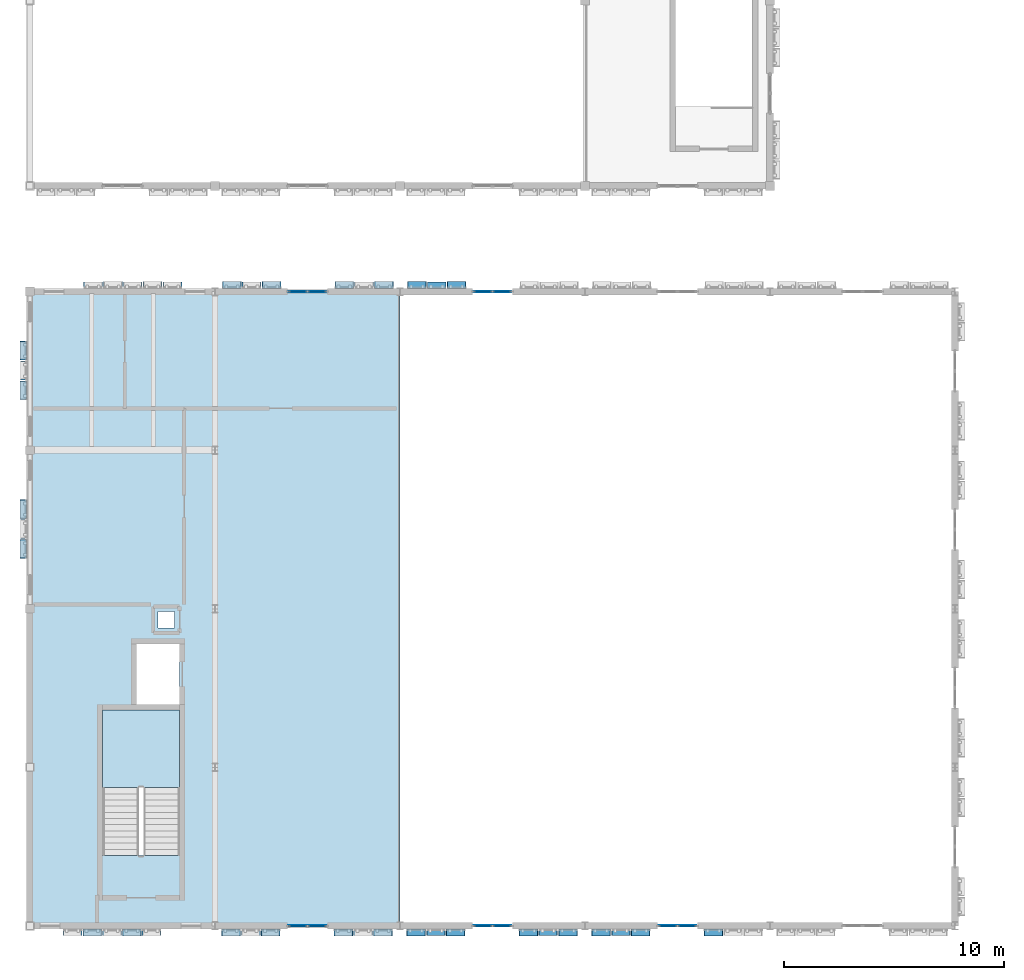
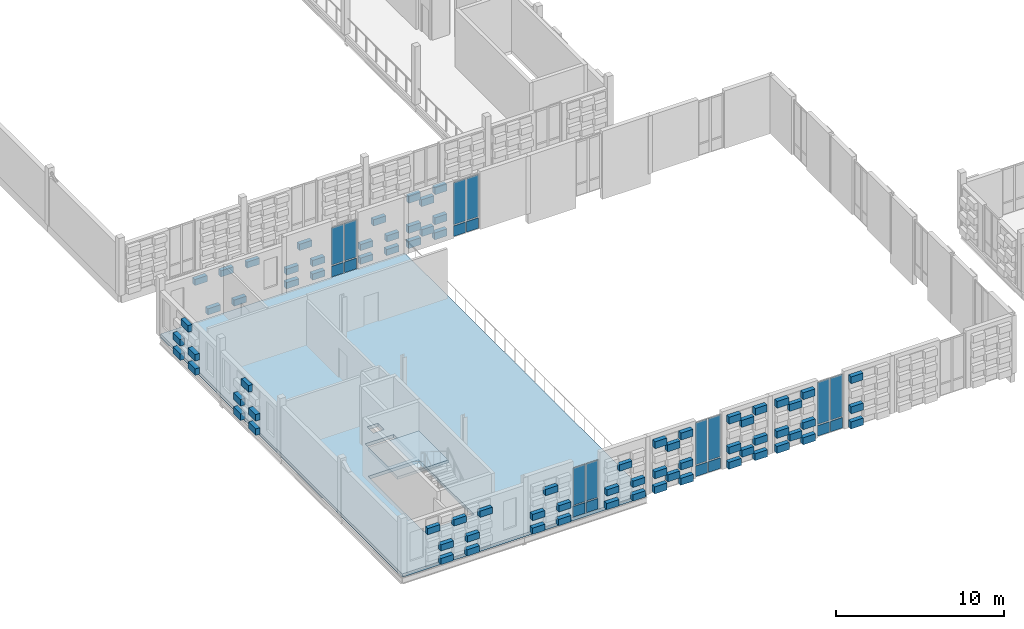
# One storey, part 31 of 81: 97 plates, 2 slabs, 6 elements without a shape of their own.
"""IFC4 building model written with IfcOpenShell, lengths in metres."""

from ifc_helpers import new_model, si_unit, direction, frame, origin, origin_2d, place, context, subcontext, project, spatial, polyline, rectangle, outline, extrude, material, layer, layer_set, type_object, element, aggregate, save


model = new_model("IFC4")

# Units and contexts
model_context = context("Model", 3, precision=1e-05, world=origin(), true_north=direction((0.0, 1.0)))
body_context = subcontext(model_context, "Body", "Model", "MODEL_VIEW")
ifc_project = project(units=[si_unit("LENGTHUNIT", "METRE"), si_unit("AREAUNIT", "SQUARE_METRE"), si_unit("VOLUMEUNIT", "CUBIC_METRE"), si_unit("PLANEANGLEUNIT", "RADIAN"), si_unit("MASSUNIT", "GRAM", prefix="KILO")], contexts=[model_context])

# Site, building, storey
site_placement = place(None, origin())
site = spatial("IfcSite", under=ifc_project, at=site_placement, CompositionType="ELEMENT")
building_placement = place(site_placement, origin())
building = spatial("IfcBuilding", under=site, at=building_placement, Name="Kahlenmark Community Centre", CompositionType="ELEMENT")
storey_placement = place(building_placement, frame((0.0, 0.0, 9.60009765625)))
storey = spatial("IfcBuildingStorey", under=building, at=storey_placement, Name="L02", CompositionType="ELEMENT", Elevation=9.60009765625)

# Curtain wall, plates
ifc_material_1 = material(Name="Anodised aluminium unitised curtain wall", Category="aluminium")
curtain_wall_type_1 = type_object("IfcCurtainWallType", Name="CWT-UNIT-180X363", PredefinedType="USERDEFINED", material=ifc_material_1)
curtain_wall_1_placement = place(storey_placement, origin())
curtain_wall_1 = element("IfcCurtainWall", 1, at=curtain_wall_1_placement, inside=storey, type_object=curtain_wall_type_1, Name="Unitised curtain wall CW-058", ObjectType="UNITISED CURTAIN WALL", PredefinedType="USERDEFINED")
ifc_material_2 = material(Name="Triple low-e solar-control glass unit", Category="glass")
ifc_layer_1 = layer(ifc_material_2, 0.0439453125)
ifc_layer_set_1 = layer_set([ifc_layer_1], Name="Triple low-e solar-control glass unit")
plate_type_1 = type_object("IfcPlateType", Name="PLT-CW-GLZ-820X2700", PredefinedType="CURTAIN_PANEL", material=ifc_layer_set_1)
plate_1_placement = place(storey_placement, frame((16.14990234375, 8.800048828125, 0.89013671875), z_axis=(0.0, 0.0, 1.0), x_axis=(1.0, 0.0, 0.0)))
plate_1 = element("IfcPlate", 2, at=plate_1_placement, type_object=plate_type_1, Name="CW-058 glazed panel 1", PredefinedType="CURTAIN_PANEL", context=body_context, shape_type="SweptSolid", body=[
    extrude(rectangle(XDim=0.820068359375, YDim=0.0439453125, at=origin_2d()), origin(), (0.0, 0.0, 1.0), 2.699951171875),
])
plate_2_placement = place(storey_placement, frame((17.050048828125, 8.800048828125, 0.89013671875), z_axis=(0.0, 0.0, 1.0), x_axis=(1.0, 0.0, 0.0)))
plate_2 = element("IfcPlate", 3, at=plate_2_placement, type_object=plate_type_1, Name="CW-058 glazed panel 2", PredefinedType="CURTAIN_PANEL", context=body_context, shape_type="SweptSolid", body=[
    extrude(rectangle(XDim=0.820068359375, YDim=0.0439453125, at=origin_2d()), origin(), (0.0, 0.0, 1.0), 2.699951171875),
])

curtain_wall_2_placement = place(storey_placement, origin())
curtain_wall_2 = element("IfcCurtainWall", 4, at=curtain_wall_2_placement, inside=storey, type_object=curtain_wall_type_1, Name="Unitised curtain wall CW-062", ObjectType="UNITISED CURTAIN WALL", PredefinedType="USERDEFINED")
plate_3_placement = place(storey_placement, frame((17.050048828125, 37.60009765625, 0.89013671875), z_axis=(0.0, 0.0, 1.0), x_axis=(-1.0, 0.0, 0.0)))
plate_3 = element("IfcPlate", 5, at=plate_3_placement, type_object=plate_type_1, Name="CW-062 glazed panel 1", PredefinedType="CURTAIN_PANEL", context=body_context, shape_type="SweptSolid", body=[
    extrude(rectangle(XDim=0.820068359375, YDim=0.0439453125, at=origin_2d()), origin(), (0.0, 0.0, 1.0), 2.699951171875),
])
plate_4_placement = place(storey_placement, frame((16.14990234375, 37.60009765625, 0.89013671875), z_axis=(0.0, 0.0, 1.0), x_axis=(-1.0, 0.0, 0.0)))
plate_4 = element("IfcPlate", 6, at=plate_4_placement, type_object=plate_type_1, Name="CW-062 glazed panel 2", PredefinedType="CURTAIN_PANEL", context=body_context, shape_type="SweptSolid", body=[
    extrude(rectangle(XDim=0.820068359375, YDim=0.0439453125, at=origin_2d()), origin(), (0.0, 0.0, 1.0), 2.699951171875),
])

curtain_wall_type_2 = type_object("IfcCurtainWallType", Name="CWT-UNIT-180X398", PredefinedType="USERDEFINED", material=ifc_material_1)
curtain_wall_3_placement = place(storey_placement, origin())
curtain_wall_3 = element("IfcCurtainWall", 7, at=curtain_wall_3_placement, inside=storey, type_object=curtain_wall_type_2, Name="Unitised curtain wall CW-059", ObjectType="UNITISED CURTAIN WALL", PredefinedType="USERDEFINED")
ifc_layer_2 = layer(ifc_material_2, 0.0439453125)
ifc_layer_set_2 = layer_set([ifc_layer_2], Name="Triple low-e solar-control glass unit")
plate_type_2 = type_object("IfcPlateType", Name="PLT-CW-GLZ-820X3050", PredefinedType="CURTAIN_PANEL", material=ifc_layer_set_2)
plate_5_placement = place(storey_placement, frame((24.550048828125, 8.800048828125, 0.8896484375), z_axis=(0.0, 0.0, 1.0), x_axis=(1.0, 0.0, 0.0)))
plate_5 = element("IfcPlate", 8, at=plate_5_placement, type_object=plate_type_2, Name="CW-059 glazed panel 1", PredefinedType="CURTAIN_PANEL", context=body_context, shape_type="SweptSolid", body=[
    extrude(rectangle(XDim=0.820068359375, YDim=0.0439453125, at=origin_2d()), origin(), (0.0, 0.0, 1.0), 3.050048828125),
])
plate_6_placement = place(storey_placement, frame((25.449951171875, 8.800048828125, 0.8896484375), z_axis=(0.0, 0.0, 1.0), x_axis=(1.0, 0.0, 0.0)))
plate_6 = element("IfcPlate", 9, at=plate_6_placement, type_object=plate_type_2, Name="CW-059 glazed panel 2", PredefinedType="CURTAIN_PANEL", context=body_context, shape_type="SweptSolid", body=[
    extrude(rectangle(XDim=0.820068359375, YDim=0.0439453125, at=origin_2d()), origin(), (0.0, 0.0, 1.0), 3.050048828125),
])

curtain_wall_4_placement = place(storey_placement, origin())
curtain_wall_4 = element("IfcCurtainWall", 10, at=curtain_wall_4_placement, inside=storey, type_object=curtain_wall_type_2, Name="Unitised curtain wall CW-060", ObjectType="UNITISED CURTAIN WALL", PredefinedType="USERDEFINED")
plate_7_placement = place(storey_placement, frame((32.949951171875, 8.800048828125, 0.8896484375), z_axis=(0.0, 0.0, 1.0), x_axis=(1.0, 0.0, 0.0)))
plate_7 = element("IfcPlate", 11, at=plate_7_placement, type_object=plate_type_2, Name="CW-060 glazed panel 1", PredefinedType="CURTAIN_PANEL", context=body_context, shape_type="SweptSolid", body=[
    extrude(rectangle(XDim=0.820068359375, YDim=0.0439453125, at=origin_2d()), origin(), (0.0, 0.0, 1.0), 3.050048828125),
])
plate_8_placement = place(storey_placement, frame((33.85009765625, 8.800048828125, 0.8896484375), z_axis=(0.0, 0.0, 1.0), x_axis=(1.0, 0.0, 0.0)))
plate_8 = element("IfcPlate", 12, at=plate_8_placement, type_object=plate_type_2, Name="CW-060 glazed panel 2", PredefinedType="CURTAIN_PANEL", context=body_context, shape_type="SweptSolid", body=[
    extrude(rectangle(XDim=0.820068359375, YDim=0.0439453125, at=origin_2d()), origin(), (0.0, 0.0, 1.0), 3.050048828125),
])

curtain_wall_5_placement = place(storey_placement, origin())
curtain_wall_5 = element("IfcCurtainWall", 13, at=curtain_wall_5_placement, inside=storey, type_object=curtain_wall_type_2, Name="Unitised curtain wall CW-063", ObjectType="UNITISED CURTAIN WALL", PredefinedType="USERDEFINED")
plate_9_placement = place(storey_placement, frame((25.449951171875, 37.60009765625, 0.8896484375), z_axis=(0.0, 0.0, 1.0), x_axis=(-1.0, 0.0, 0.0)))
plate_9 = element("IfcPlate", 14, at=plate_9_placement, type_object=plate_type_2, Name="CW-063 glazed panel 1", PredefinedType="CURTAIN_PANEL", context=body_context, shape_type="SweptSolid", body=[
    extrude(rectangle(XDim=0.820068359375, YDim=0.0439453125, at=origin_2d()), origin(), (0.0, 0.0, 1.0), 3.050048828125),
])
plate_10_placement = place(storey_placement, frame((24.550048828125, 37.60009765625, 0.8896484375), z_axis=(0.0, 0.0, 1.0), x_axis=(-1.0, 0.0, 0.0)))
plate_10 = element("IfcPlate", 15, at=plate_10_placement, type_object=plate_type_2, Name="CW-063 glazed panel 2", PredefinedType="CURTAIN_PANEL", context=body_context, shape_type="SweptSolid", body=[
    extrude(rectangle(XDim=0.820068359375, YDim=0.0439453125, at=origin_2d()), origin(), (0.0, 0.0, 1.0), 3.050048828125),
])

# Plate
ifc_material_3 = material(Name="Warm terracotta insulated spandrel cassette", Category="masonry")
ifc_layer_3 = layer(ifc_material_3, 0.06005859375)
ifc_layer_set_3 = layer_set([ifc_layer_3], Name="Warm terracotta insulated spandrel cassette")
plate_type_3 = type_object("IfcPlateType", Name="PLT-CW-SPD-820X770", PredefinedType="CURTAIN_PANEL", material=ifc_layer_set_3)
plate_11_placement = place(storey_placement, frame((16.14990234375, 8.800048828125, 0.039794921875), z_axis=(0.0, 0.0, 1.0), x_axis=(1.0, 0.0, 0.0)))
plate_11 = element("IfcPlate", 16, at=plate_11_placement, type_object=plate_type_3, Name="CW-058 spandrel 1", PredefinedType="CURTAIN_PANEL", context=body_context, shape_type="SweptSolid", body=[
    extrude(rectangle(XDim=0.820068359375, YDim=0.06005859375, at=origin_2d()), origin(), (0.0, 0.0, 1.0), 0.77001953125),
])

plate_12_placement = place(storey_placement, frame((17.050048828125, 8.800048828125, 0.039794921875), z_axis=(0.0, 0.0, 1.0), x_axis=(1.0, 0.0, 0.0)))
plate_12 = element("IfcPlate", 17, at=plate_12_placement, type_object=plate_type_3, Name="CW-058 spandrel 2", PredefinedType="CURTAIN_PANEL", context=body_context, shape_type="SweptSolid", body=[
    extrude(rectangle(XDim=0.820068359375, YDim=0.06005859375, at=origin_2d()), origin(), (0.0, 0.0, 1.0), 0.77001953125),
])

aggregate(curtain_wall_1, [plate_11, plate_1, plate_12, plate_2])

plate_13_placement = place(storey_placement, frame((24.550048828125, 8.800048828125, 0.039794921875), z_axis=(0.0, 0.0, 1.0), x_axis=(1.0, 0.0, 0.0)))
plate_13 = element("IfcPlate", 18, at=plate_13_placement, type_object=plate_type_3, Name="CW-059 spandrel 1", PredefinedType="CURTAIN_PANEL", context=body_context, shape_type="SweptSolid", body=[
    extrude(rectangle(XDim=0.820068359375, YDim=0.06005859375, at=origin_2d()), origin(), (0.0, 0.0, 1.0), 0.77001953125),
])

plate_14_placement = place(storey_placement, frame((25.449951171875, 8.800048828125, 0.039794921875), z_axis=(0.0, 0.0, 1.0), x_axis=(1.0, 0.0, 0.0)))
plate_14 = element("IfcPlate", 19, at=plate_14_placement, type_object=plate_type_3, Name="CW-059 spandrel 2", PredefinedType="CURTAIN_PANEL", context=body_context, shape_type="SweptSolid", body=[
    extrude(rectangle(XDim=0.820068359375, YDim=0.06005859375, at=origin_2d()), origin(), (0.0, 0.0, 1.0), 0.77001953125),
])

aggregate(curtain_wall_3, [plate_13, plate_5, plate_14, plate_6])

plate_15_placement = place(storey_placement, frame((32.949951171875, 8.800048828125, 0.039794921875), z_axis=(0.0, 0.0, 1.0), x_axis=(1.0, 0.0, 0.0)))
plate_15 = element("IfcPlate", 20, at=plate_15_placement, type_object=plate_type_3, Name="CW-060 spandrel 1", PredefinedType="CURTAIN_PANEL", context=body_context, shape_type="SweptSolid", body=[
    extrude(rectangle(XDim=0.820068359375, YDim=0.06005859375, at=origin_2d()), origin(), (0.0, 0.0, 1.0), 0.77001953125),
])

plate_16_placement = place(storey_placement, frame((33.85009765625, 8.800048828125, 0.039794921875), z_axis=(0.0, 0.0, 1.0), x_axis=(1.0, 0.0, 0.0)))
plate_16 = element("IfcPlate", 21, at=plate_16_placement, type_object=plate_type_3, Name="CW-060 spandrel 2", PredefinedType="CURTAIN_PANEL", context=body_context, shape_type="SweptSolid", body=[
    extrude(rectangle(XDim=0.820068359375, YDim=0.06005859375, at=origin_2d()), origin(), (0.0, 0.0, 1.0), 0.77001953125),
])

aggregate(curtain_wall_4, [plate_15, plate_7, plate_16, plate_8])

plate_17_placement = place(storey_placement, frame((17.050048828125, 37.60009765625, 0.039794921875), z_axis=(0.0, 0.0, 1.0), x_axis=(-1.0, 0.0, 0.0)))
plate_17 = element("IfcPlate", 22, at=plate_17_placement, type_object=plate_type_3, Name="CW-062 spandrel 1", PredefinedType="CURTAIN_PANEL", context=body_context, shape_type="SweptSolid", body=[
    extrude(rectangle(XDim=0.820068359375, YDim=0.06005859375, at=origin_2d()), origin(), (0.0, 0.0, 1.0), 0.77001953125),
])

plate_18_placement = place(storey_placement, frame((16.14990234375, 37.60009765625, 0.039794921875), z_axis=(0.0, 0.0, 1.0), x_axis=(-1.0, 0.0, 0.0)))
plate_18 = element("IfcPlate", 23, at=plate_18_placement, type_object=plate_type_3, Name="CW-062 spandrel 2", PredefinedType="CURTAIN_PANEL", context=body_context, shape_type="SweptSolid", body=[
    extrude(rectangle(XDim=0.820068359375, YDim=0.06005859375, at=origin_2d()), origin(), (0.0, 0.0, 1.0), 0.77001953125),
])

aggregate(curtain_wall_2, [plate_17, plate_3, plate_18, plate_4])

plate_19_placement = place(storey_placement, frame((25.449951171875, 37.60009765625, 0.039794921875), z_axis=(0.0, 0.0, 1.0), x_axis=(-1.0, 0.0, 0.0)))
plate_19 = element("IfcPlate", 24, at=plate_19_placement, type_object=plate_type_3, Name="CW-063 spandrel 1", PredefinedType="CURTAIN_PANEL", context=body_context, shape_type="SweptSolid", body=[
    extrude(rectangle(XDim=0.820068359375, YDim=0.06005859375, at=origin_2d()), origin(), (0.0, 0.0, 1.0), 0.77001953125),
])

plate_20_placement = place(storey_placement, frame((24.550048828125, 37.60009765625, 0.039794921875), z_axis=(0.0, 0.0, 1.0), x_axis=(-1.0, 0.0, 0.0)))
plate_20 = element("IfcPlate", 25, at=plate_20_placement, type_object=plate_type_3, Name="CW-063 spandrel 2", PredefinedType="CURTAIN_PANEL", context=body_context, shape_type="SweptSolid", body=[
    extrude(rectangle(XDim=0.820068359375, YDim=0.06005859375, at=origin_2d()), origin(), (0.0, 0.0, 1.0), 0.77001953125),
])

aggregate(curtain_wall_5, [plate_19, plate_9, plate_20, plate_10])

# Plates
ifc_material_4 = material(Name="Extruded glazed terracotta weave cassette", Category="masonry")
ifc_layer_4 = layer(ifc_material_4, 0.300048828125)
ifc_layer_set_4 = layer_set([ifc_layer_4], Name="Extruded glazed terracotta weave cassette")
plate_type_4 = type_object("IfcPlateType", Name="PLT-TC-TC-R34-820X300X506", PredefinedType="SHEET", material=ifc_layer_set_4)
for number, where, z_axis, x_axis, name in (
    (26, (21.530029296875, 8.5, 3.3759765625), (0.0, 0.0, 1.0), (1.0, 0.0, 0.0), "Basketweave terracotta cassette 1846"),
    (27, (23.330078125, 8.5, 3.3759765625), (0.0, 0.0, 1.0), (1.0, 0.0, 0.0), "Basketweave terracotta cassette 1860"),
    (28, (26.6298828125, 8.5, 3.3759765625), (0.0, 0.0, 1.0), (1.0, 0.0, 0.0), "Basketweave terracotta cassette 1867"),
    (29, (28.429931640625, 8.5, 3.3759765625), (0.0, 0.0, 1.0), (1.0, 0.0, 0.0), "Basketweave terracotta cassette 1881"),
    (30, (29.929931640625, 8.5, 3.3759765625), (0.0, 0.0, 1.0), (1.0, 0.0, 0.0), "Basketweave terracotta cassette 1888"),
    (31, (31.72998046875, 8.5, 3.3759765625), (0.0, 0.0, 1.0), (1.0, 0.0, 0.0), "Basketweave terracotta cassette 1902"),
    (32, (35.030029296875, 8.5, 3.3759765625), (0.0, 0.0, 1.0), (1.0, 0.0, 0.0), "Basketweave terracotta cassette 1909"),
    (33, (23.3701171875, 37.89990234375, 3.3759765625), (0.0, 0.0, 1.0), (-1.0, 0.0, 0.0), "Basketweave terracotta cassette 2070"),
    (34, (21.570068359375, 37.89990234375, 3.3759765625), (0.0, 0.0, 1.0), (-1.0, 0.0, 0.0), "Basketweave terracotta cassette 2084"),
):
    element("IfcPlate", number, at=place(storey_placement, frame(where, z_axis=z_axis, x_axis=x_axis)), inside=storey, type_object=plate_type_4, Name=name, PredefinedType="SHEET", context=body_context, shape_type="SweptSolid", body=[
        extrude(rectangle(XDim=0.820068359375, YDim=0.300048828125, at=origin_2d()), origin(), (0.0, 0.0, 1.0), 0.506103515625),
    ])
ifc_layer_5 = layer(ifc_material_4, 0.300048828125)
ifc_layer_set_5 = layer_set([ifc_layer_5], Name="Extruded glazed terracotta weave cassette")
plate_type_5 = type_object("IfcPlateType", Name="PLT-TC-TC-R34-840X300X456", PredefinedType="SHEET", material=ifc_layer_set_5)
for number, where, z_axis, x_axis, name in (
    (35, (6.830078125, 8.5, 1.091796875), (0.0, 0.0, 1.0), (1.0, 0.0, 0.0), "Basketweave terracotta cassette 1772"),
    (36, (8.6298828125, 8.5, 1.091796875), (0.0, 0.0, 1.0), (1.0, 0.0, 0.0), "Basketweave terracotta cassette 1786"),
    (37, (13.1298828125, 8.5, 1.091796875), (0.0, 0.0, 1.0), (1.0, 0.0, 0.0), "Basketweave terracotta cassette 1800"),
    (38, (14.929931640625, 8.5, 1.091796875), (0.0, 0.0, 1.0), (1.0, 0.0, 0.0), "Basketweave terracotta cassette 1814"),
    (39, (18.22998046875, 8.5, 1.091796875), (0.0, 0.0, 1.0), (1.0, 0.0, 0.0), "Basketweave terracotta cassette 1821"),
    (40, (20.030029296875, 8.5, 1.091796875), (0.0, 0.0, 1.0), (1.0, 0.0, 0.0), "Basketweave terracotta cassette 1835"),
    (41, (20.070068359375, 37.89990234375, 1.091796875), (0.0, 0.0, 1.0), (-1.0, 0.0, 0.0), "Basketweave terracotta cassette 2003"),
    (42, (18.27001953125, 37.89990234375, 1.091796875), (0.0, 0.0, 1.0), (-1.0, 0.0, 0.0), "Basketweave terracotta cassette 2017"),
    (43, (14.969970703125, 37.89990234375, 1.091796875), (0.0, 0.0, 1.0), (-1.0, 0.0, 0.0), "Basketweave terracotta cassette 2024"),
    (44, (13.169921875, 37.89990234375, 1.091796875), (0.0, 0.0, 1.0), (-1.0, 0.0, 0.0), "Basketweave terracotta cassette 2038"),
):
    element("IfcPlate", number, at=place(storey_placement, frame(where, z_axis=z_axis, x_axis=x_axis)), inside=storey, type_object=plate_type_5, Name=name, PredefinedType="SHEET", context=body_context, shape_type="SweptSolid", body=[
        extrude(rectangle(XDim=0.840087890625, YDim=0.300048828125, at=origin_2d()), origin(), (0.0, 0.0, 1.0), 0.4560546875),
    ])
ifc_layer_6 = layer(ifc_material_4, 0.300048828125)
ifc_layer_set_6 = layer_set([ifc_layer_6], Name="Extruded glazed terracotta weave cassette")
plate_type_6 = type_object("IfcPlateType", Name="PLT-TC-TC-R34-840X300X478", PredefinedType="SHEET", material=ifc_layer_set_6)
for number, where, z_axis, x_axis, name in (
    (45, (3.699951171875, 27.719970703125, 1.135986328125), (0.0, 0.0, 1.0), (0.0, -1.0, 0.0), "Basketweave terracotta cassette 2171"),
    (46, (3.699951171875, 25.919921875, 1.135986328125), (0.0, 0.0, 1.0), (0.0, -1.0, 0.0), "Basketweave terracotta cassette 2183"),
    (47, (3.699951171875, 34.919921875, 1.135986328125), (0.0, 0.0, 1.0), (0.0, -1.0, 0.0), "Basketweave terracotta cassette 2189"),
    (48, (3.699951171875, 33.1201171875, 1.135986328125), (0.0, 0.0, 1.0), (0.0, -1.0, 0.0), "Basketweave terracotta cassette 2201"),
):
    element("IfcPlate", number, at=place(storey_placement, frame(where, z_axis=z_axis, x_axis=x_axis)), inside=storey, type_object=plate_type_6, Name=name, PredefinedType="SHEET", context=body_context, shape_type="SweptSolid", body=[
        extrude(rectangle(XDim=0.840087890625, YDim=0.300048828125, at=origin_2d()), origin(), (0.0, 0.0, 1.0), 0.47802734375),
    ])
ifc_layer_7 = layer(ifc_material_4, 0.300048828125)
ifc_layer_set_7 = layer_set([ifc_layer_7], Name="Extruded glazed terracotta weave cassette")
plate_type_7 = type_object("IfcPlateType", Name="PLT-TC-TC-R34-840X300X506", PredefinedType="SHEET", material=ifc_layer_set_7)
for number, where, z_axis, x_axis, name in (
    (49, (21.530029296875, 8.5, 1.19189453125), (0.0, 0.0, 1.0), (1.0, 0.0, 0.0), "Basketweave terracotta cassette 1842"),
    (50, (23.330078125, 8.5, 1.19189453125), (0.0, 0.0, 1.0), (1.0, 0.0, 0.0), "Basketweave terracotta cassette 1856"),
    (51, (26.6298828125, 8.5, 1.19189453125), (0.0, 0.0, 1.0), (1.0, 0.0, 0.0), "Basketweave terracotta cassette 1863"),
    (52, (28.429931640625, 8.5, 1.19189453125), (0.0, 0.0, 1.0), (1.0, 0.0, 0.0), "Basketweave terracotta cassette 1877"),
    (53, (29.929931640625, 8.5, 1.19189453125), (0.0, 0.0, 1.0), (1.0, 0.0, 0.0), "Basketweave terracotta cassette 1884"),
    (54, (31.72998046875, 8.5, 1.19189453125), (0.0, 0.0, 1.0), (1.0, 0.0, 0.0), "Basketweave terracotta cassette 1898"),
    (55, (35.030029296875, 8.5, 1.19189453125), (0.0, 0.0, 1.0), (1.0, 0.0, 0.0), "Basketweave terracotta cassette 1905"),
    (56, (23.3701171875, 37.89990234375, 1.19189453125), (0.0, 0.0, 1.0), (-1.0, 0.0, 0.0), "Basketweave terracotta cassette 2066"),
    (57, (21.570068359375, 37.89990234375, 1.19189453125), (0.0, 0.0, 1.0), (-1.0, 0.0, 0.0), "Basketweave terracotta cassette 2080"),
):
    element("IfcPlate", number, at=place(storey_placement, frame(where, z_axis=z_axis, x_axis=x_axis)), inside=storey, type_object=plate_type_7, Name=name, PredefinedType="SHEET", context=body_context, shape_type="SweptSolid", body=[
        extrude(rectangle(XDim=0.840087890625, YDim=0.300048828125, at=origin_2d()), origin(), (0.0, 0.0, 1.0), 0.506103515625),
    ])
ifc_layer_8 = layer(ifc_material_4, 0.300048828125)
ifc_layer_set_8 = layer_set([ifc_layer_8], Name="Extruded glazed terracotta weave cassette")
plate_type_8 = type_object("IfcPlateType", Name="PLT-TC-TC-R34-860X300X450", PredefinedType="SHEET", material=ifc_layer_set_8)
for number, where, z_axis, x_axis, name in (
    (58, (9.570068359375, 37.89990234375, 0.10009765625), (0.0, 0.0, 1.0), (-1.0, 0.0, 0.0), "Basketweave terracotta cassette 1973"),
    (59, (7.77001953125, 37.89990234375, 0.10009765625), (0.0, 0.0, 1.0), (-1.0, 0.0, 0.0), "Basketweave terracotta cassette 1987"),
):
    element("IfcPlate", number, at=place(storey_placement, frame(where, z_axis=z_axis, x_axis=x_axis)), inside=storey, type_object=plate_type_8, Name=name, PredefinedType="SHEET", context=body_context, shape_type="SweptSolid", body=[
        extrude(rectangle(XDim=0.860107421875, YDim=0.300048828125, at=origin_2d()), origin(), (0.0, 0.0, 1.0), 0.449951171875),
    ])
ifc_layer_9 = layer(ifc_material_4, 0.300048828125)
ifc_layer_set_9 = layer_set([ifc_layer_9], Name="Extruded glazed terracotta weave cassette")
plate_type_9 = type_object("IfcPlateType", Name="PLT-TC-TC-R34-860X300X456", PredefinedType="SHEET", material=ifc_layer_set_9)
for number, where, z_axis, x_axis, name in (
    (60, (6.830078125, 8.5, 0.099853515625), (0.0, 0.0, 1.0), (1.0, 0.0, 0.0), "Basketweave terracotta cassette 1770"),
    (61, (8.6298828125, 8.5, 0.099853515625), (0.0, 0.0, 1.0), (1.0, 0.0, 0.0), "Basketweave terracotta cassette 1784"),
    (62, (13.1298828125, 8.5, 0.099853515625), (0.0, 0.0, 1.0), (1.0, 0.0, 0.0), "Basketweave terracotta cassette 1798"),
    (63, (14.929931640625, 8.5, 0.099853515625), (0.0, 0.0, 1.0), (1.0, 0.0, 0.0), "Basketweave terracotta cassette 1812"),
    (64, (18.22998046875, 8.5, 0.099853515625), (0.0, 0.0, 1.0), (1.0, 0.0, 0.0), "Basketweave terracotta cassette 1819"),
    (65, (20.030029296875, 8.5, 0.099853515625), (0.0, 0.0, 1.0), (1.0, 0.0, 0.0), "Basketweave terracotta cassette 1833"),
    (66, (20.070068359375, 37.89990234375, 0.099853515625), (0.0, 0.0, 1.0), (-1.0, 0.0, 0.0), "Basketweave terracotta cassette 2001"),
    (67, (18.27001953125, 37.89990234375, 0.099853515625), (0.0, 0.0, 1.0), (-1.0, 0.0, 0.0), "Basketweave terracotta cassette 2015"),
    (68, (14.969970703125, 37.89990234375, 0.099853515625), (0.0, 0.0, 1.0), (-1.0, 0.0, 0.0), "Basketweave terracotta cassette 2022"),
    (69, (13.169921875, 37.89990234375, 0.099853515625), (0.0, 0.0, 1.0), (-1.0, 0.0, 0.0), "Basketweave terracotta cassette 2036"),
):
    element("IfcPlate", number, at=place(storey_placement, frame(where, z_axis=z_axis, x_axis=x_axis)), inside=storey, type_object=plate_type_9, Name=name, PredefinedType="SHEET", context=body_context, shape_type="SweptSolid", body=[
        extrude(rectangle(XDim=0.860107421875, YDim=0.300048828125, at=origin_2d()), origin(), (0.0, 0.0, 1.0), 0.4560546875),
    ])
ifc_layer_10 = layer(ifc_material_4, 0.300048828125)
ifc_layer_set_10 = layer_set([ifc_layer_10], Name="Extruded glazed terracotta weave cassette")
plate_type_10 = type_object("IfcPlateType", Name="PLT-TC-TC-R34-860X300X478", PredefinedType="SHEET", material=ifc_layer_set_10)
for number, where, z_axis, x_axis, name in (
    (70, (3.699951171875, 27.719970703125, 0.099853515625), (0.0, 0.0, 1.0), (0.0, -1.0, 0.0), "Basketweave terracotta cassette 2169"),
    (71, (3.699951171875, 25.919921875, 0.099853515625), (0.0, 0.0, 1.0), (0.0, -1.0, 0.0), "Basketweave terracotta cassette 2181"),
    (72, (3.699951171875, 34.919921875, 0.099853515625), (0.0, 0.0, 1.0), (0.0, -1.0, 0.0), "Basketweave terracotta cassette 2187"),
    (73, (3.699951171875, 33.1201171875, 0.099853515625), (0.0, 0.0, 1.0), (0.0, -1.0, 0.0), "Basketweave terracotta cassette 2199"),
):
    element("IfcPlate", number, at=place(storey_placement, frame(where, z_axis=z_axis, x_axis=x_axis)), inside=storey, type_object=plate_type_10, Name=name, PredefinedType="SHEET", context=body_context, shape_type="SweptSolid", body=[
        extrude(rectangle(XDim=0.860107421875, YDim=0.300048828125, at=origin_2d()), origin(), (0.0, 0.0, 1.0), 0.47802734375),
    ])
ifc_layer_11 = layer(ifc_material_4, 0.300048828125)
ifc_layer_set_11 = layer_set([ifc_layer_11], Name="Extruded glazed terracotta weave cassette")
plate_type_11 = type_object("IfcPlateType", Name="PLT-TC-TC-R34-860X300X506", PredefinedType="SHEET", material=ifc_layer_set_11)
for number, where, z_axis, x_axis, name in (
    (74, (21.530029296875, 8.5, 0.099609375), (0.0, 0.0, 1.0), (1.0, 0.0, 0.0), "Basketweave terracotta cassette 1840"),
    (75, (23.330078125, 8.5, 0.099609375), (0.0, 0.0, 1.0), (1.0, 0.0, 0.0), "Basketweave terracotta cassette 1854"),
    (76, (26.6298828125, 8.5, 0.099609375), (0.0, 0.0, 1.0), (1.0, 0.0, 0.0), "Basketweave terracotta cassette 1861"),
    (77, (28.429931640625, 8.5, 0.099609375), (0.0, 0.0, 1.0), (1.0, 0.0, 0.0), "Basketweave terracotta cassette 1875"),
    (78, (29.929931640625, 8.5, 0.099609375), (0.0, 0.0, 1.0), (1.0, 0.0, 0.0), "Basketweave terracotta cassette 1882"),
    (79, (31.72998046875, 8.5, 0.099609375), (0.0, 0.0, 1.0), (1.0, 0.0, 0.0), "Basketweave terracotta cassette 1896"),
    (80, (35.030029296875, 8.5, 0.099609375), (0.0, 0.0, 1.0), (1.0, 0.0, 0.0), "Basketweave terracotta cassette 1903"),
    (81, (23.3701171875, 37.89990234375, 0.099609375), (0.0, 0.0, 1.0), (-1.0, 0.0, 0.0), "Basketweave terracotta cassette 2064"),
    (82, (21.570068359375, 37.89990234375, 0.099609375), (0.0, 0.0, 1.0), (-1.0, 0.0, 0.0), "Basketweave terracotta cassette 2078"),
):
    element("IfcPlate", number, at=place(storey_placement, frame(where, z_axis=z_axis, x_axis=x_axis)), inside=storey, type_object=plate_type_11, Name=name, PredefinedType="SHEET", context=body_context, shape_type="SweptSolid", body=[
        extrude(rectangle(XDim=0.860107421875, YDim=0.300048828125, at=origin_2d()), origin(), (0.0, 0.0, 1.0), 0.506103515625),
    ])
ifc_layer_12 = layer(ifc_material_4, 0.280029296875)
ifc_layer_set_12 = layer_set([ifc_layer_12], Name="Extruded glazed terracotta weave cassette")
plate_type_12 = type_object("IfcPlateType", Name="PLT-TC-TC-W30-820X280X506", PredefinedType="SHEET", material=ifc_layer_set_12)
for number, where, z_axis, x_axis, name in (
    (83, (22.429931640625, 8.510009765625, 0.64599609375), (0.0, 0.0, 1.0), (1.0, 0.0, 0.0), "Basketweave terracotta cassette 1848"),
    (84, (27.530029296875, 8.510009765625, 0.64599609375), (0.0, 0.0, 1.0), (1.0, 0.0, 0.0), "Basketweave terracotta cassette 1869"),
    (85, (30.830078125, 8.510009765625, 0.64599609375), (0.0, 0.0, 1.0), (1.0, 0.0, 0.0), "Basketweave terracotta cassette 1890"),
    (86, (22.469970703125, 37.889892578125, 0.64599609375), (0.0, 0.0, 1.0), (-1.0, 0.0, 0.0), "Basketweave terracotta cassette 2072"),
):
    element("IfcPlate", number, at=place(storey_placement, frame(where, z_axis=z_axis, x_axis=x_axis)), inside=storey, type_object=plate_type_12, Name=name, PredefinedType="SHEET", context=body_context, shape_type="SweptSolid", body=[
        extrude(rectangle(XDim=0.820068359375, YDim=0.280029296875, at=origin_2d()), origin(), (0.0, 0.0, 1.0), 0.506103515625),
    ])
ifc_layer_13 = layer(ifc_material_4, 0.280029296875)
ifc_layer_set_13 = layer_set([ifc_layer_13], Name="Extruded glazed terracotta weave cassette")
plate_type_13 = type_object("IfcPlateType", Name="PLT-TC-TC-W30-860X280X450", PredefinedType="SHEET", material=ifc_layer_set_13)
for number, where, z_axis, x_axis, name in (
    (87, (10.469970703125, 37.889892578125, 2.5498046875), (0.0, 0.0, 1.0), (-1.0, 0.0, 0.0), "Basketweave terracotta cassette 1971"),
    (88, (8.669921875, 37.889892578125, 2.5498046875), (0.0, 0.0, 1.0), (-1.0, 0.0, 0.0), "Basketweave terracotta cassette 1985"),
    (89, (6.8701171875, 37.889892578125, 2.5498046875), (0.0, 0.0, 1.0), (-1.0, 0.0, 0.0), "Basketweave terracotta cassette 1999"),
):
    element("IfcPlate", number, at=place(storey_placement, frame(where, z_axis=z_axis, x_axis=x_axis)), inside=storey, type_object=plate_type_13, Name=name, PredefinedType="SHEET", context=body_context, shape_type="SweptSolid", body=[
        extrude(rectangle(XDim=0.860107421875, YDim=0.280029296875, at=origin_2d()), origin(), (0.0, 0.0, 1.0), 0.449951171875),
    ])
ifc_layer_14 = layer(ifc_material_4, 0.280029296875)
ifc_layer_set_14 = layer_set([ifc_layer_14], Name="Extruded glazed terracotta weave cassette")
plate_type_14 = type_object("IfcPlateType", Name="PLT-TC-TC-W30-860X280X456", PredefinedType="SHEET", material=ifc_layer_set_14)
for number, where, z_axis, x_axis, name in (
    (90, (5.929931640625, 8.510009765625, 2.579833984375), (0.0, 0.0, 1.0), (1.0, 0.0, 0.0), "Basketweave terracotta cassette 1768"),
    (91, (7.72998046875, 8.510009765625, 2.579833984375), (0.0, 0.0, 1.0), (1.0, 0.0, 0.0), "Basketweave terracotta cassette 1782"),
    (92, (9.530029296875, 8.510009765625, 2.579833984375), (0.0, 0.0, 1.0), (1.0, 0.0, 0.0), "Basketweave terracotta cassette 1796"),
    (93, (14.030029296875, 8.510009765625, 2.579833984375), (0.0, 0.0, 1.0), (1.0, 0.0, 0.0), "Basketweave terracotta cassette 1810"),
    (94, (19.1298828125, 8.510009765625, 2.579833984375), (0.0, 0.0, 1.0), (1.0, 0.0, 0.0), "Basketweave terracotta cassette 1831"),
    (95, (19.169921875, 37.889892578125, 2.579833984375), (0.0, 0.0, 1.0), (-1.0, 0.0, 0.0), "Basketweave terracotta cassette 2013"),
    (96, (14.070068359375, 37.889892578125, 2.579833984375), (0.0, 0.0, 1.0), (-1.0, 0.0, 0.0), "Basketweave terracotta cassette 2034"),
):
    element("IfcPlate", number, at=place(storey_placement, frame(where, z_axis=z_axis, x_axis=x_axis)), inside=storey, type_object=plate_type_14, Name=name, PredefinedType="SHEET", context=body_context, shape_type="SweptSolid", body=[
        extrude(rectangle(XDim=0.860107421875, YDim=0.280029296875, at=origin_2d()), origin(), (0.0, 0.0, 1.0), 0.4560546875),
    ])
ifc_layer_15 = layer(ifc_material_4, 0.280029296875)
ifc_layer_set_15 = layer_set([ifc_layer_15], Name="Extruded glazed terracotta weave cassette")
plate_type_15 = type_object("IfcPlateType", Name="PLT-TC-TC-W30-860X280X478", PredefinedType="SHEET", material=ifc_layer_set_15)
for number, where, z_axis, x_axis, name in (
    (97, (3.7099609375, 26.820068359375, 2.68994140625), (0.0, 0.0, 1.0), (0.0, -1.0, 0.0), "Basketweave terracotta cassette 2180"),
    (98, (3.7099609375, 34.02001953125, 2.68994140625), (0.0, 0.0, 1.0), (0.0, -1.0, 0.0), "Basketweave terracotta cassette 2198"),
):
    element("IfcPlate", number, at=place(storey_placement, frame(where, z_axis=z_axis, x_axis=x_axis)), inside=storey, type_object=plate_type_15, Name=name, PredefinedType="SHEET", context=body_context, shape_type="SweptSolid", body=[
        extrude(rectangle(XDim=0.860107421875, YDim=0.280029296875, at=origin_2d()), origin(), (0.0, 0.0, 1.0), 0.47802734375),
    ])
ifc_layer_16 = layer(ifc_material_4, 0.280029296875)
ifc_layer_set_16 = layer_set([ifc_layer_16], Name="Extruded glazed terracotta weave cassette")
plate_type_16 = type_object("IfcPlateType", Name="PLT-TC-TC-W30-860X280X506", PredefinedType="SHEET", material=ifc_layer_set_16)
for number, where, z_axis, x_axis, name in (
    (99, (22.429931640625, 8.510009765625, 2.830078125), (0.0, 0.0, 1.0), (1.0, 0.0, 0.0), "Basketweave terracotta cassette 1852"),
    (100, (27.530029296875, 8.510009765625, 2.830078125), (0.0, 0.0, 1.0), (1.0, 0.0, 0.0), "Basketweave terracotta cassette 1873"),
    (101, (30.830078125, 8.510009765625, 2.830078125), (0.0, 0.0, 1.0), (1.0, 0.0, 0.0), "Basketweave terracotta cassette 1894"),
    (102, (22.469970703125, 37.889892578125, 2.830078125), (0.0, 0.0, 1.0), (-1.0, 0.0, 0.0), "Basketweave terracotta cassette 2076"),
):
    element("IfcPlate", number, at=place(storey_placement, frame(where, z_axis=z_axis, x_axis=x_axis)), inside=storey, type_object=plate_type_16, Name=name, PredefinedType="SHEET", context=body_context, shape_type="SweptSolid", body=[
        extrude(rectangle(XDim=0.860107421875, YDim=0.280029296875, at=origin_2d()), origin(), (0.0, 0.0, 1.0), 0.506103515625),
    ])

# Stair, slab
ifc_material_5 = material(Name="Concrete C35/45", Category="concrete")
stair_type = type_object("IfcStairType", Name="STT-CORE-ST-01-175", PredefinedType="HALF_TURN_STAIR", material=ifc_material_5)
stair_placement = place(storey_placement, origin())
stair = element("IfcStair", 103, at=stair_placement, inside=storey, type_object=stair_type, Name="L02 Core K1 Escape Stair ST-01", PredefinedType="HALF_TURN_STAIR")
ifc_layer_17 = layer(ifc_material_5, 0.199951171875)
ifc_layer_set_17 = layer_set([ifc_layer_17], Name="Concrete C35/45")
slab_type_1 = type_object("IfcSlabType", Name="SLT-CORE-200", PredefinedType="LANDING", material=ifc_layer_set_17)
slab_1_placement = place(storey_placement, frame((0.0, 0.0, 1.89990234375)))
slab_1 = element("IfcSlab", 104, at=slab_1_placement, type_object=slab_type_1, Name="ST-01 landing 1", PredefinedType="LANDING", context=body_context, shape_type="SweptSolid", body=[
    extrude(outline(polyline([(10.800048828125, 15.080078125), (10.800048828125, 18.60009765625), (7.300048828125, 18.60009765625), (7.300048828125, 15.080078125), (10.800048828125, 15.080078125)])), origin(), (0.0, 0.0, 1.0), 0.199951171875),
])
aggregate(stair, [slab_1])

# Slab
ifc_material_6 = material(Name="Cross-laminated timber CLT C24", Category="wood")
ifc_layer_18 = layer(ifc_material_6, 0.239990234375)
ifc_layer_set_18 = layer_set([ifc_layer_18], Name="Cross-laminated timber CLT C24")
slab_type_2 = type_object("IfcSlabType", Name="ST-FL-CLT240", PredefinedType="FLOOR", material=ifc_layer_set_18)
slab_2_placement = place(storey_placement, frame((0.0, 0.0, -0.239990234375)))
element("IfcSlab", 105, at=slab_2_placement, inside=storey, type_object=slab_type_2, Name="L02 suspended floor slab V1", PredefinedType="FLOOR", context=body_context, shape_type="SweptSolid", body=[
    extrude(outline(polyline([(4.0, 8.800048828125), (20.800048828125, 8.800048828125), (20.800048828125, 37.60009765625), (4.0, 37.60009765625), (4.0, 8.800048828125)]), holes=[polyline([(7.305908203125, 12.006103515625), (10.7939453125, 12.006103515625), (10.7939453125, 18.593994140625), (7.305908203125, 18.593994140625), (7.305908203125, 12.006103515625)]), polyline([(8.845947265625, 18.85595703125), (10.7939453125, 18.85595703125), (10.7939453125, 21.60400390625), (8.845947265625, 21.60400390625), (8.845947265625, 18.85595703125)]), polyline([(9.825927734375, 22.325927734375), (10.573974609375, 22.325927734375), (10.573974609375, 23.073974609375), (9.825927734375, 23.073974609375), (9.825927734375, 22.325927734375)])]), origin(), (0.0, 0.0, 1.0), 0.239990234375),
])

save(model, "model.ifc")
